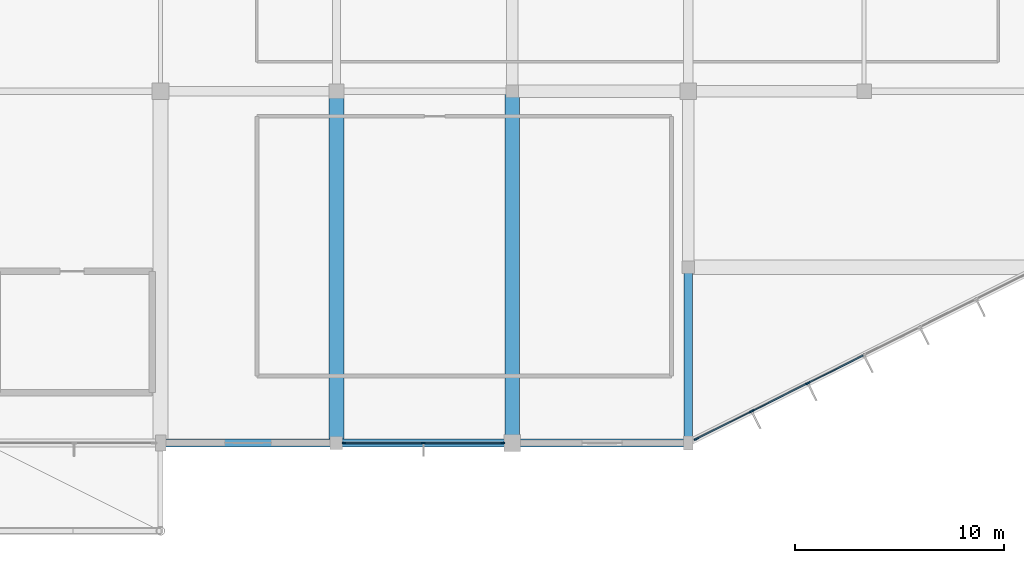
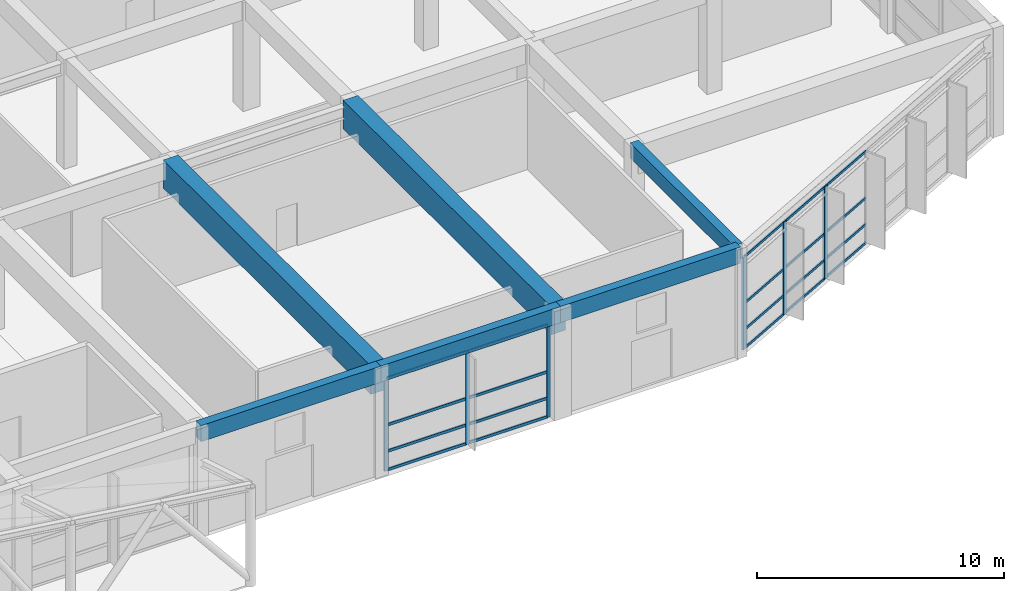
# One storey, part 26 of 62: 26 members, 6 beams, 2 elements without a shape of their own.
"""IFC4 building model written with IfcOpenShell, lengths in metres."""

from ifc_helpers import new_model, si_unit, direction, frame, origin, origin_2d, place, context, subcontext, project, spatial, rectangle, extrude, material, material_profile, profile_set, type_object, element, aggregate, save


model = new_model("IFC4")

# Units and contexts
model_context = context("Model", 3, precision=1e-05, world=origin(), true_north=direction((0.0, 1.0)))
body_context = subcontext(model_context, "Body", "Model", "MODEL_VIEW")
ifc_project = project(units=[si_unit("LENGTHUNIT", "METRE"), si_unit("AREAUNIT", "SQUARE_METRE"), si_unit("VOLUMEUNIT", "CUBIC_METRE"), si_unit("PLANEANGLEUNIT", "RADIAN"), si_unit("MASSUNIT", "GRAM", prefix="KILO")], contexts=[model_context])

# Site, building, storey
site_placement = place(None, origin())
site = spatial("IfcSite", under=ifc_project, at=site_placement, CompositionType="ELEMENT")
building_placement = place(site_placement, origin())
building = spatial("IfcBuilding", under=site, at=building_placement, Name="Xuanlan Plaza Opera House", CompositionType="ELEMENT")
storey_placement = place(building_placement, origin())
storey = spatial("IfcBuildingStorey", under=building, at=storey_placement, Name="L00", CompositionType="ELEMENT", Elevation=0.0)

# Curtain wall, members
ifc_material_1 = material(Name="Anodised Aluminium 6063-T6 and Low-E Glass", Category="aluminium")
curtain_wall_type_1 = type_object("IfcCurtainWallType", Name="ENV-CW-CW-01", PredefinedType="USERDEFINED", material=ifc_material_1)
curtain_wall_1_placement = place(storey_placement, origin())
curtain_wall_1 = element("IfcCurtainWall", 1, at=curtain_wall_1_placement, inside=storey, type_object=curtain_wall_type_1, Name="Unitised Curtain Wall L00-015", ObjectType="UNITISED CURTAIN WALL", PredefinedType="USERDEFINED")
ifc_material_2 = material(Name="Anodised Aluminium 6063-T6", Category="aluminium")
ifc_material_profile_1 = material_profile(ifc_material_2, rectangle(XDim=0.070068359375, YDim=0.179931640625, at=origin_2d()), Name="ALU-M 70x180")
ifc_profile_set_1 = profile_set([ifc_material_profile_1], Name="Anodised Aluminium 6063-T6")
member_type_1 = type_object("IfcMemberType", Name="ENV-CWM-02", PredefinedType="MULLION", material=ifc_profile_set_1)
member_1_placement = place(storey_placement, frame((134.7548828125, 0.0, 0.0), z_axis=(0.0, 0.0, 1.0), x_axis=(0.0, 1.0, 0.0)))
member_1 = element("IfcMember", 2, at=member_1_placement, type_object=member_type_1, Name="CW-01 mullion 1", PredefinedType="MULLION", context=body_context, shape_type="SweptSolid", body=[
    extrude(rectangle(XDim=0.070068359375, YDim=0.179931640625, at=origin_2d()), origin(), (0.0, 0.0, 1.0), 4.580078125),
])
member_2_placement = place(storey_placement, frame((138.550048828125, 0.0, 0.0), z_axis=(0.0, 0.0, 1.0), x_axis=(0.0, 1.0, 0.0)))
member_2 = element("IfcMember", 3, at=member_2_placement, type_object=member_type_1, Name="CW-01 mullion 2", PredefinedType="MULLION", context=body_context, shape_type="SweptSolid", body=[
    extrude(rectangle(XDim=0.070068359375, YDim=0.179931640625, at=origin_2d()), origin(), (0.0, 0.0, 1.0), 4.580078125),
])
member_3_placement = place(storey_placement, frame((142.344970703125, 0.0, 0.0), z_axis=(0.0, 0.0, 1.0), x_axis=(0.0, 1.0, 0.0)))
member_3 = element("IfcMember", 4, at=member_3_placement, type_object=member_type_1, Name="CW-01 mullion 3", PredefinedType="MULLION", context=body_context, shape_type="SweptSolid", body=[
    extrude(rectangle(XDim=0.070068359375, YDim=0.179931640625, at=origin_2d()), origin(), (0.0, 0.0, 1.0), 4.580078125),
])

curtain_wall_type_2 = type_object("IfcCurtainWallType", Name="ENV-CW-CW-03", PredefinedType="USERDEFINED", material=ifc_material_1)
curtain_wall_2_placement = place(storey_placement, origin())
curtain_wall_2 = element("IfcCurtainWall", 5, at=curtain_wall_2_placement, inside=storey, type_object=curtain_wall_type_2, Name="Unitised Curtain Wall L00-017", ObjectType="UNITISED CURTAIN WALL", PredefinedType="USERDEFINED")
ifc_material_profile_2 = material_profile(ifc_material_2, rectangle(XDim=0.080078125, YDim=0.219970703125, at=origin_2d()), Name="ALU-M 80x220")
ifc_profile_set_2 = profile_set([ifc_material_profile_2], Name="Anodised Aluminium 6063-T6")
member_type_2 = type_object("IfcMemberType", Name="ENV-CWM-04", PredefinedType="MULLION", material=ifc_profile_set_2)
member_4_placement = place(storey_placement, frame((151.5859375, 0.19287109375, 0.0), z_axis=(0.0, 0.0, 1.0), x_axis=(-0.447213595499, 0.894427191001, 0.0)))
member_4 = element("IfcMember", 6, at=member_4_placement, type_object=member_type_2, Name="CW-03 mullion 1", PredefinedType="MULLION", context=body_context, shape_type="SweptSolid", body=[
    extrude(rectangle(XDim=0.080078125, YDim=0.219970703125, at=origin_2d()), origin(), (0.0, 0.0, 1.0), 4.580078125),
])
member_5_placement = place(storey_placement, frame((154.229248046875, 1.5146484375, 0.0), z_axis=(0.0, 0.0, 1.0), x_axis=(-0.447213595499, 0.894427191001, 0.0)))
member_5 = element("IfcMember", 7, at=member_5_placement, type_object=member_type_2, Name="CW-03 mullion 2", PredefinedType="MULLION", context=body_context, shape_type="SweptSolid", body=[
    extrude(rectangle(XDim=0.080078125, YDim=0.219970703125, at=origin_2d()), origin(), (0.0, 0.0, 1.0), 4.580078125),
])
member_6_placement = place(storey_placement, frame((156.908447265625, 2.854248046875, 0.0), z_axis=(0.0, 0.0, 1.0), x_axis=(-0.447213595499, 0.894427191001, 0.0)))
member_6 = element("IfcMember", 8, at=member_6_placement, type_object=member_type_2, Name="CW-03 mullion 3", PredefinedType="MULLION", context=body_context, shape_type="SweptSolid", body=[
    extrude(rectangle(XDim=0.080078125, YDim=0.219970703125, at=origin_2d()), origin(), (0.0, 0.0, 1.0), 4.580078125),
])
ifc_material_profile_3 = material_profile(ifc_material_2, rectangle(XDim=0.06494140625, YDim=0.1201171875, at=origin_2d()), Name="ALU-T 65x120")
ifc_profile_set_3 = profile_set([ifc_material_profile_3], Name="Anodised Aluminium 6063-T6")
member_type_3 = type_object("IfcMemberType", Name="ENV-CWT-01", PredefinedType="USERDEFINED", material=ifc_profile_set_3)
member_7_placement = place(storey_placement, frame((151.621826171875, 0.2109375, 0.032470703125), z_axis=(0.894427191, 0.4472135955, 0.0), x_axis=(-0.4472135955, 0.894427191, 0.0)))
member_7 = element("IfcMember", 9, at=member_7_placement, type_object=member_type_3, Name="CW-03 transom 1.1", ObjectType="TRANSOM", PredefinedType="USERDEFINED", context=body_context, shape_type="SweptSolid", body=[
    extrude(rectangle(XDim=0.06494140625, YDim=0.1201171875, at=origin_2d()), origin(), (0.0, 0.0, 1.0), 2.875244140625),
])
member_8_placement = place(storey_placement, frame((151.621826171875, 0.2109375, 0.949951171875), z_axis=(0.894427191, 0.4472135955, 0.0), x_axis=(-0.4472135955, 0.894427191, 0.0)))
member_8 = element("IfcMember", 10, at=member_8_placement, type_object=member_type_3, Name="CW-03 transom 1.2", ObjectType="TRANSOM", PredefinedType="USERDEFINED", context=body_context, shape_type="SweptSolid", body=[
    extrude(rectangle(XDim=0.06494140625, YDim=0.1201171875, at=origin_2d()), origin(), (0.0, 0.0, 1.0), 2.875244140625),
])
member_9_placement = place(storey_placement, frame((151.621826171875, 0.2109375, 2.25), z_axis=(0.894427191, 0.4472135955, 0.0), x_axis=(-0.4472135955, 0.894427191, 0.0)))
member_9 = element("IfcMember", 11, at=member_9_placement, type_object=member_type_3, Name="CW-03 transom 1.3", ObjectType="TRANSOM", PredefinedType="USERDEFINED", context=body_context, shape_type="SweptSolid", body=[
    extrude(rectangle(XDim=0.06494140625, YDim=0.1201171875, at=origin_2d()), origin(), (0.0, 0.0, 1.0), 2.875244140625),
])
member_10_placement = place(storey_placement, frame((151.621826171875, 0.2109375, 4.547607421875), z_axis=(0.894427191, 0.4472135955, 0.0), x_axis=(-0.4472135955, 0.894427191, 0.0)))
member_10 = element("IfcMember", 12, at=member_10_placement, type_object=member_type_3, Name="CW-03 transom 1.4", ObjectType="TRANSOM", PredefinedType="USERDEFINED", context=body_context, shape_type="SweptSolid", body=[
    extrude(rectangle(XDim=0.06494140625, YDim=0.1201171875, at=origin_2d()), origin(), (0.0, 0.0, 1.0), 2.875244140625),
])
member_11_placement = place(storey_placement, frame((154.26513671875, 1.532470703125, 0.032470703125), z_axis=(0.8943936906, 0.447280590027, 0.0), x_axis=(-0.447280590027, 0.8943936906, 0.0)))
member_11 = element("IfcMember", 13, at=member_11_placement, type_object=member_type_3, Name="CW-03 transom 2.1", ObjectType="TRANSOM", PredefinedType="USERDEFINED", context=body_context, shape_type="SweptSolid", body=[
    extrude(rectangle(XDim=0.06494140625, YDim=0.1201171875, at=origin_2d()), origin(), (0.0, 0.0, 1.0), 2.915283203125),
])
member_12_placement = place(storey_placement, frame((154.26513671875, 1.532470703125, 0.949951171875), z_axis=(0.8943936906, 0.447280590027, 0.0), x_axis=(-0.447280590027, 0.8943936906, 0.0)))
member_12 = element("IfcMember", 14, at=member_12_placement, type_object=member_type_3, Name="CW-03 transom 2.2", ObjectType="TRANSOM", PredefinedType="USERDEFINED", context=body_context, shape_type="SweptSolid", body=[
    extrude(rectangle(XDim=0.06494140625, YDim=0.1201171875, at=origin_2d()), origin(), (0.0, 0.0, 1.0), 2.915283203125),
])
member_13_placement = place(storey_placement, frame((154.26513671875, 1.532470703125, 2.25), z_axis=(0.8943936906, 0.447280590027, 0.0), x_axis=(-0.447280590027, 0.8943936906, 0.0)))
member_13 = element("IfcMember", 15, at=member_13_placement, type_object=member_type_3, Name="CW-03 transom 2.3", ObjectType="TRANSOM", PredefinedType="USERDEFINED", context=body_context, shape_type="SweptSolid", body=[
    extrude(rectangle(XDim=0.06494140625, YDim=0.1201171875, at=origin_2d()), origin(), (0.0, 0.0, 1.0), 2.915283203125),
])
member_14_placement = place(storey_placement, frame((154.26513671875, 1.532470703125, 4.547607421875), z_axis=(0.8943936906, 0.447280590027, 0.0), x_axis=(-0.447280590027, 0.8943936906, 0.0)))
member_14 = element("IfcMember", 16, at=member_14_placement, type_object=member_type_3, Name="CW-03 transom 2.4", ObjectType="TRANSOM", PredefinedType="USERDEFINED", context=body_context, shape_type="SweptSolid", body=[
    extrude(rectangle(XDim=0.06494140625, YDim=0.1201171875, at=origin_2d()), origin(), (0.0, 0.0, 1.0), 2.915283203125),
])
member_15_placement = place(storey_placement, frame((156.944091796875, 2.8720703125, 0.032470703125), z_axis=(0.894443938691, 0.44718009855, 0.0), x_axis=(-0.44718009855, 0.894443938691, 0.0)))
member_15 = element("IfcMember", 17, at=member_15_placement, type_object=member_type_3, Name="CW-03 transom 3.1", ObjectType="TRANSOM", PredefinedType="USERDEFINED", context=body_context, shape_type="SweptSolid", body=[
    extrude(rectangle(XDim=0.06494140625, YDim=0.1201171875, at=origin_2d()), origin(), (0.0, 0.0, 1.0), 2.915283203125),
])
member_16_placement = place(storey_placement, frame((156.944091796875, 2.8720703125, 0.949951171875), z_axis=(0.894443938691, 0.44718009855, 0.0), x_axis=(-0.44718009855, 0.894443938691, 0.0)))
member_16 = element("IfcMember", 18, at=member_16_placement, type_object=member_type_3, Name="CW-03 transom 3.2", ObjectType="TRANSOM", PredefinedType="USERDEFINED", context=body_context, shape_type="SweptSolid", body=[
    extrude(rectangle(XDim=0.06494140625, YDim=0.1201171875, at=origin_2d()), origin(), (0.0, 0.0, 1.0), 2.915283203125),
])
member_17_placement = place(storey_placement, frame((156.944091796875, 2.8720703125, 2.25), z_axis=(0.894443938691, 0.44718009855, 0.0), x_axis=(-0.44718009855, 0.894443938691, 0.0)))
member_17 = element("IfcMember", 19, at=member_17_placement, type_object=member_type_3, Name="CW-03 transom 3.3", ObjectType="TRANSOM", PredefinedType="USERDEFINED", context=body_context, shape_type="SweptSolid", body=[
    extrude(rectangle(XDim=0.06494140625, YDim=0.1201171875, at=origin_2d()), origin(), (0.0, 0.0, 1.0), 2.915283203125),
])
member_18_placement = place(storey_placement, frame((156.944091796875, 2.8720703125, 4.547607421875), z_axis=(0.894443938691, 0.44718009855, 0.0), x_axis=(-0.44718009855, 0.894443938691, 0.0)))
member_18 = element("IfcMember", 20, at=member_18_placement, type_object=member_type_3, Name="CW-03 transom 3.4", ObjectType="TRANSOM", PredefinedType="USERDEFINED", context=body_context, shape_type="SweptSolid", body=[
    extrude(rectangle(XDim=0.06494140625, YDim=0.1201171875, at=origin_2d()), origin(), (0.0, 0.0, 1.0), 2.915283203125),
])
aggregate(curtain_wall_2, [member_4, member_5, member_6, member_7, member_8, member_9, member_10, member_11, member_12, member_13, member_14, member_15, member_16, member_17, member_18])

# Member
ifc_material_profile_4 = material_profile(ifc_material_2, rectangle(XDim=0.070068359375, YDim=0.135009765625, at=origin_2d()), Name="ALU-T 70x135")
ifc_profile_set_4 = profile_set([ifc_material_profile_4], Name="Anodised Aluminium 6063-T6")
member_type_4 = type_object("IfcMemberType", Name="ENV-CWT-02", PredefinedType="USERDEFINED", material=ifc_profile_set_4)
member_19_placement = place(storey_placement, frame((134.7900390625, 0.0, 0.034912109375), z_axis=(1.0, 0.0, 0.0), x_axis=(0.0, 1.0, 0.0)))
member_19 = element("IfcMember", 21, at=member_19_placement, type_object=member_type_4, Name="CW-01 transom 1.1", ObjectType="TRANSOM", PredefinedType="USERDEFINED", context=body_context, shape_type="SweptSolid", body=[
    extrude(rectangle(XDim=0.070068359375, YDim=0.135009765625, at=origin_2d()), origin(), (0.0, 0.0, 1.0), 3.724853515625),
])

member_20_placement = place(storey_placement, frame((134.7900390625, 0.0, 0.949951171875), z_axis=(1.0, 0.0, 0.0), x_axis=(0.0, 1.0, 0.0)))
member_20 = element("IfcMember", 22, at=member_20_placement, type_object=member_type_4, Name="CW-01 transom 1.2", ObjectType="TRANSOM", PredefinedType="USERDEFINED", context=body_context, shape_type="SweptSolid", body=[
    extrude(rectangle(XDim=0.070068359375, YDim=0.135009765625, at=origin_2d()), origin(), (0.0, 0.0, 1.0), 3.724853515625),
])

member_21_placement = place(storey_placement, frame((134.7900390625, 0.0, 2.25), z_axis=(1.0, 0.0, 0.0), x_axis=(0.0, 1.0, 0.0)))
member_21 = element("IfcMember", 23, at=member_21_placement, type_object=member_type_4, Name="CW-01 transom 1.3", ObjectType="TRANSOM", PredefinedType="USERDEFINED", context=body_context, shape_type="SweptSolid", body=[
    extrude(rectangle(XDim=0.070068359375, YDim=0.135009765625, at=origin_2d()), origin(), (0.0, 0.0, 1.0), 3.724853515625),
])

member_22_placement = place(storey_placement, frame((134.7900390625, 0.0, 4.544921875), z_axis=(1.0, 0.0, 0.0), x_axis=(0.0, 1.0, 0.0)))
member_22 = element("IfcMember", 24, at=member_22_placement, type_object=member_type_4, Name="CW-01 transom 1.4", ObjectType="TRANSOM", PredefinedType="USERDEFINED", context=body_context, shape_type="SweptSolid", body=[
    extrude(rectangle(XDim=0.070068359375, YDim=0.135009765625, at=origin_2d()), origin(), (0.0, 0.0, 1.0), 3.724853515625),
])

member_23_placement = place(storey_placement, frame((138.5849609375, 0.0, 0.034912109375), z_axis=(1.0, 0.0, 0.0), x_axis=(0.0, 1.0, 0.0)))
member_23 = element("IfcMember", 25, at=member_23_placement, type_object=member_type_4, Name="CW-01 transom 2.1", ObjectType="TRANSOM", PredefinedType="USERDEFINED", context=body_context, shape_type="SweptSolid", body=[
    extrude(rectangle(XDim=0.070068359375, YDim=0.135009765625, at=origin_2d()), origin(), (0.0, 0.0, 1.0), 3.72509765625),
])

member_24_placement = place(storey_placement, frame((138.5849609375, 0.0, 0.949951171875), z_axis=(1.0, 0.0, 0.0), x_axis=(0.0, 1.0, 0.0)))
member_24 = element("IfcMember", 26, at=member_24_placement, type_object=member_type_4, Name="CW-01 transom 2.2", ObjectType="TRANSOM", PredefinedType="USERDEFINED", context=body_context, shape_type="SweptSolid", body=[
    extrude(rectangle(XDim=0.070068359375, YDim=0.135009765625, at=origin_2d()), origin(), (0.0, 0.0, 1.0), 3.72509765625),
])

member_25_placement = place(storey_placement, frame((138.5849609375, 0.0, 2.25), z_axis=(1.0, 0.0, 0.0), x_axis=(0.0, 1.0, 0.0)))
member_25 = element("IfcMember", 27, at=member_25_placement, type_object=member_type_4, Name="CW-01 transom 2.3", ObjectType="TRANSOM", PredefinedType="USERDEFINED", context=body_context, shape_type="SweptSolid", body=[
    extrude(rectangle(XDim=0.070068359375, YDim=0.135009765625, at=origin_2d()), origin(), (0.0, 0.0, 1.0), 3.72509765625),
])

member_26_placement = place(storey_placement, frame((138.5849609375, 0.0, 4.544921875), z_axis=(1.0, 0.0, 0.0), x_axis=(0.0, 1.0, 0.0)))
member_26 = element("IfcMember", 28, at=member_26_placement, type_object=member_type_4, Name="CW-01 transom 2.4", ObjectType="TRANSOM", PredefinedType="USERDEFINED", context=body_context, shape_type="SweptSolid", body=[
    extrude(rectangle(XDim=0.070068359375, YDim=0.135009765625, at=origin_2d()), origin(), (0.0, 0.0, 1.0), 3.72509765625),
])

aggregate(curtain_wall_1, [member_1, member_2, member_3, member_19, member_20, member_21, member_22, member_23, member_24, member_25, member_26])

# Beams
ifc_material_3 = material(Name="Concrete C40", Category="concrete")
ifc_material_profile_5 = material_profile(ifc_material_3, rectangle(XDim=0.39990234375, YDim=0.75, at=origin_2d()), Name="RC-BM 400x750")
ifc_profile_set_5 = profile_set([ifc_material_profile_5], Name="Concrete C40")
beam_type_1 = type_object("IfcBeamType", Name="STR-BM-B-06", PredefinedType="BEAM", material=ifc_profile_set_5)
beam_1_placement = place(storey_placement, frame((151.199951171875, 0.0, 5.02490234375), z_axis=(0.0, 1.0, 0.0), x_axis=(-1.0, 0.0, 0.0)))
element("IfcBeam", 29, at=beam_1_placement, inside=storey, type_object=beam_type_1, Name="Grid Beam Y L00 19/A-B", PredefinedType="BEAM", context=body_context, shape_type="SweptSolid", body=[
    extrude(rectangle(XDim=0.39990234375, YDim=0.75, at=origin_2d()), origin(), (0.0, 0.0, 1.0), 8.39990234375),
])
ifc_material_4 = material(Name="Concrete C50", Category="concrete")
ifc_material_profile_6 = material_profile(ifc_material_4, rectangle(XDim=0.699951171875, YDim=1.39990234375, at=origin_2d()), Name="RC-LG 700x1400")
ifc_profile_set_6 = profile_set([ifc_material_profile_6], Name="Concrete C50")
beam_type_2 = type_object("IfcBeamType", Name="STR-BM-LG-01", PredefinedType="BEAM", material=ifc_profile_set_6)
for number, where, z_axis, x_axis, name in (
    (30, (134.39990234375, 0.0, 4.699951171875), (0.0, 1.0, 0.0), (-1.0, 0.0, 0.0), "Grid Beam Y L00 17/A-C"),
    (31, (142.800048828125, 0.0, 4.699951171875), (0.0, 1.0, 0.0), (-1.0, 0.0, 0.0), "Grid Beam Y L00 18/A-C"),
):
    element("IfcBeam", number, at=place(storey_placement, frame(where, z_axis=z_axis, x_axis=x_axis)), inside=storey, type_object=beam_type_2, Name=name, PredefinedType="BEAM", context=body_context, shape_type="SweptSolid", body=[
        extrude(rectangle(XDim=0.699951171875, YDim=1.39990234375, at=origin_2d()), origin(), (0.0, 0.0, 1.0), 16.800048828125),
    ])
ifc_material_profile_7 = material_profile(ifc_material_3, rectangle(XDim=0.39990234375, YDim=0.800048828125, at=origin_2d()), Name="RC-SPD 400x800")
ifc_profile_set_7 = profile_set([ifc_material_profile_7], Name="Concrete C40")
beam_type_3 = type_object("IfcBeamType", Name="STR-BM-SP-01", PredefinedType="SPANDREL", material=ifc_profile_set_7)
beam_2_placement = place(storey_placement, frame((126.0, 0.0, 5.0), z_axis=(1.0, 0.0, 0.0), x_axis=(0.0, 1.0, 0.0)))
element("IfcBeam", 32, at=beam_2_placement, inside=storey, type_object=beam_type_3, Name="Grid Beam X L00 16-17/A", PredefinedType="SPANDREL", context=body_context, shape_type="SweptSolid", body=[
    extrude(rectangle(XDim=0.39990234375, YDim=0.800048828125, at=origin_2d()), origin(), (0.0, 0.0, 1.0), 8.39990234375),
])
beam_3_placement = place(storey_placement, frame((134.39990234375, 0.0, 5.0), z_axis=(1.0, 0.0, 0.0), x_axis=(0.0, 1.0, 0.0)))
element("IfcBeam", 33, at=beam_3_placement, inside=storey, type_object=beam_type_3, Name="Grid Beam X L00 17-18/A", PredefinedType="SPANDREL", context=body_context, shape_type="SweptSolid", body=[
    extrude(rectangle(XDim=0.39990234375, YDim=0.800048828125, at=origin_2d()), origin(), (0.0, 0.0, 1.0), 8.400146484375),
])
beam_4_placement = place(storey_placement, frame((142.800048828125, 0.0, 5.0), z_axis=(1.0, 0.0, 0.0), x_axis=(0.0, 1.0, 0.0)))
element("IfcBeam", 34, at=beam_4_placement, inside=storey, type_object=beam_type_3, Name="Grid Beam X L00 18-19/A", PredefinedType="SPANDREL", context=body_context, shape_type="SweptSolid", body=[
    extrude(rectangle(XDim=0.39990234375, YDim=0.800048828125, at=origin_2d()), origin(), (0.0, 0.0, 1.0), 8.39990234375),
])

save(model, "model.ifc")
